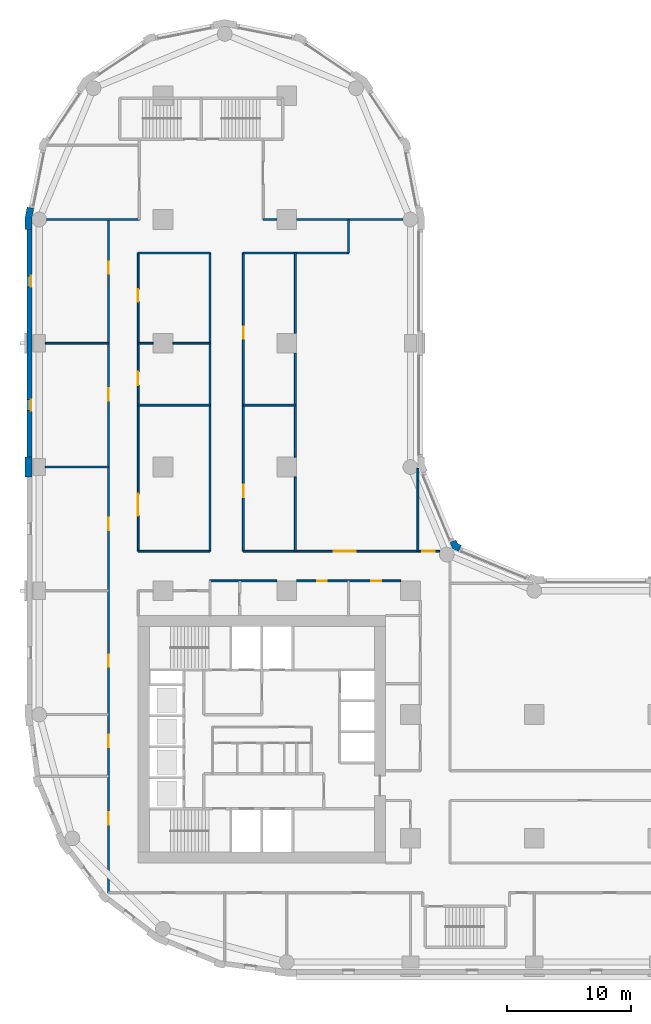
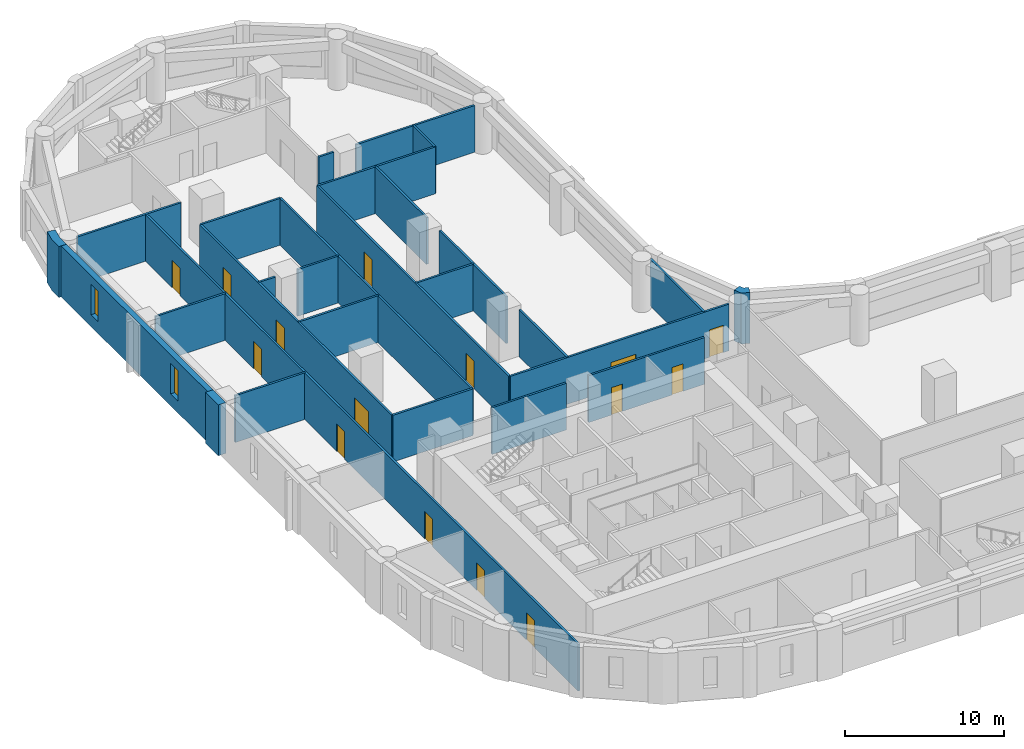
# One storey, part 5 of 10: 28 walls, 15 doors, 2 windows, 17 openings.
"""IFC4 building model written with IfcOpenShell, lengths in metres."""

from ifc_helpers import new_model, si_unit, direction, frame, frame_2d, origin, place, context, subcontext, project, spatial, polyline, rectangle, outline, extrude, material, layer, layer_set, type_object, element, fill, save


model = new_model("IFC4")

# Units and contexts
model_context = context("Model", 3, precision=1e-05, world=origin(), true_north=direction((0.0, 1.0)))
body_context = subcontext(model_context, "Body", "Model", "MODEL_VIEW")
ifc_project = project(units=[si_unit("LENGTHUNIT", "METRE"), si_unit("AREAUNIT", "SQUARE_METRE"), si_unit("VOLUMEUNIT", "CUBIC_METRE"), si_unit("PLANEANGLEUNIT", "RADIAN"), si_unit("MASSUNIT", "GRAM", prefix="KILO")], contexts=[model_context])

# Site, building, storey
site_placement = place(None, origin())
site = spatial("IfcSite", under=ifc_project, at=site_placement, CompositionType="ELEMENT")
building_placement = place(site_placement, origin())
building = spatial("IfcBuilding", under=site, at=building_placement, Name="Qaws Garden Tower", CompositionType="ELEMENT")
storey_placement = place(building_placement, frame((0.0, 0.0, 97.800048828125)))
storey = spatial("IfcBuildingStorey", under=building, at=storey_placement, Name="L24", CompositionType="ELEMENT", Elevation=97.800048828125)

# Wall, openings, windows
ifc_material_1 = material(Name="Clay facing brick masonry", Category="masonry")
ifc_layer_1 = layer(ifc_material_1, 0.39990234375)
ifc_layer_set_1 = layer_set([ifc_layer_1], Name="Clay facing brick masonry")
wall_type_1 = type_object("IfcWallType", Name="Brick infill wall 400", PredefinedType="SOLIDWALL", material=ifc_layer_set_1)
wall_1_placement = place(storey_placement, frame((-0.800048828125, 59.199951171875, 0.0), z_axis=(0.0, 0.0, 1.0), x_axis=(0.0, -1.0, 0.0)))
wall_1 = element("IfcWall", 1, at=wall_1_placement, inside=storey, type_object=wall_type_1, Name="E-L24-infill-23", PredefinedType="SOLIDWALL", context=body_context, shape_type="SweptSolid", body=[
    extrude(rectangle(XDim=18.39990234375, YDim=0.39990234375, at=frame_2d((9.199951171875, 0.0))), origin(), (0.0, 0.0, 1.0), 3.89990234375),
])
opening_1_placement = place(wall_1_placement, frame((3.75, 0.0, 0.89990234375)))
opening_1 = element("IfcOpeningElement", 2, at=opening_1_placement, cuts=wall_1, Name="Opening W09", PredefinedType="OPENING", context=body_context, shape_type="SweptSolid", body=[
    extrude(rectangle(XDim=0.89990234375, YDim=2.35009765625, at=frame_2d((0.449951171875, 1.175048828125))), frame((0.0, 0.2099609375, 0.0), z_axis=(0.0, -1.0, 0.0), x_axis=(1.0, 0.0, 0.0)), (0.0, 0.0, 1.0), 0.419921875),
])
opening_2_placement = place(wall_1_placement, frame((13.75, 0.0, 0.89990234375)))
opening_2 = element("IfcOpeningElement", 3, at=opening_2_placement, cuts=wall_1, Name="Opening W09", PredefinedType="OPENING", context=body_context, shape_type="SweptSolid", body=[
    extrude(rectangle(XDim=0.89990234375, YDim=2.35009765625, at=frame_2d((0.449951171875, 1.175048828125))), frame((0.0, 0.2099609375, 0.0), z_axis=(0.0, -1.0, 0.0), x_axis=(1.0, 0.0, 0.0)), (0.0, 0.0, 1.0), 0.419921875),
])
ifc_material_2 = material(Name="Aluminium framed window, clear glazing", Category="aluminium")
window_type = type_object("IfcWindowType", Name="Slit window 900 x 2350", PartitioningType="SINGLE_PANEL", PredefinedType="WINDOW", material=ifc_material_2)
window_1_placement = place(opening_1_placement, origin())
window_1 = element("IfcWindow", 4, at=window_1_placement, inside=storey, type_object=window_type, Name="E-L24-window-23-0", OverallHeight=2.35009765625, OverallWidth=0.89990234375, PartitioningType="SINGLE_PANEL", PredefinedType="WINDOW", context=body_context, shape_type="SweptSolid", body=[
    extrude(rectangle(XDim=0.89990234375, YDim=2.35009765625, at=frame_2d((0.449951171875, 1.175048828125))), frame((0.0, 0.159912109375, 0.0), z_axis=(0.0, -1.0, 0.0), x_axis=(1.0, 0.0, 0.0)), (0.0, 0.0, 1.0), 0.06005859375),
])
fill(opening_1, window_1)
window_2_placement = place(opening_2_placement, origin())
window_2 = element("IfcWindow", 5, at=window_2_placement, inside=storey, type_object=window_type, Name="E-L24-window-24-0", OverallHeight=2.35009765625, OverallWidth=0.89990234375, PartitioningType="SINGLE_PANEL", PredefinedType="WINDOW", context=body_context, shape_type="SweptSolid", body=[
    extrude(rectangle(XDim=0.89990234375, YDim=2.35009765625, at=frame_2d((0.449951171875, 1.175048828125))), frame((0.0, 0.159912109375, 0.0), z_axis=(0.0, -1.0, 0.0), x_axis=(1.0, 0.0, 0.0)), (0.0, 0.0, 1.0), 0.06005859375),
])
fill(opening_2, window_2)

# Walls
ifc_material_3 = material(Name="Clay facing brick masonry", Category="masonry")
ifc_layer_2 = layer(ifc_material_3, 0.550048828125)
ifc_layer_set_2 = layer_set([ifc_layer_2], Name="Clay facing brick masonry")
wall_type_2 = type_object("IfcWallType", Name="Brick pier 550 x 1600", PredefinedType="SOLIDWALL", material=ifc_layer_set_2)
placement = place(storey_placement, origin())
element("IfcWall", 6, at=placement, inside=storey, type_object=wall_type_2, Name="E-L24-pier-12", PredefinedType="SOLIDWALL", context=body_context, shape_type="SweptSolid", body=[
    extrude(outline(polyline([(34.05078125, 33.546630859375), (34.108154296875, 33.685302734375), (33.80908203125, 33.80908203125), (33.685302734375, 34.108154296875), (33.546630859375, 34.05078125), (33.177001953125, 33.897705078125), (33.38818359375, 33.38818359375), (33.897705078125, 33.177001953125), (34.05078125, 33.546630859375)])), origin(), (0.0, 0.0, 1.0), 3.89990234375),
])
element("IfcWall", 7, at=placement, inside=storey, type_object=wall_type_2, Name="E-L24-pier-23", PredefinedType="SOLIDWALL", context=body_context, shape_type="SweptSolid", body=[
    extrude(outline(polyline([(-0.82470703125, 60.979736328125), (-0.971923828125, 61.009033203125), (-1.14990234375, 60.11328125), (-1.14990234375, 59.199951171875), (-1.0, 59.199951171875), (-0.60009765625, 59.199951171875), (-0.60009765625, 60.05908203125), (-0.432373046875, 60.901611328125), (-0.82470703125, 60.979736328125)])), origin(), (0.0, 0.0, 1.0), 3.89990234375),
])
element("IfcWall", 8, at=placement, inside=storey, type_object=wall_type_2, Name="E-L24-pier-25", PredefinedType="SOLIDWALL", context=body_context, shape_type="SweptSolid", body=[
    extrude(outline(polyline([(-1.0, 40.800048828125), (-1.14990234375, 40.800048828125), (-1.14990234375, 40.0), (-1.14990234375, 39.199951171875), (-1.0, 39.199951171875), (-0.60009765625, 39.199951171875), (-0.60009765625, 40.0), (-0.60009765625, 40.800048828125), (-1.0, 40.800048828125)])), origin(), (0.0, 0.0, 1.0), 3.89990234375),
])

# Wall, openings, doors
ifc_material_4 = material(Name="Gypsum board partition")
ifc_layer_3 = layer(ifc_material_4, 0.14990234375)
ifc_layer_set_3 = layer_set([ifc_layer_3], Name="Gypsum board partition")
wall_type_3 = type_object("IfcWallType", Name="PARTITION 150 EI 60", PredefinedType="PARTITIONING", material=ifc_layer_set_3)
wall_5_placement = place(storey_placement, frame((5.60009765625, 5.60009765625, 0.0), z_axis=(0.0, 0.0, 1.0), x_axis=(0.0, 1.0, 0.0)))
wall_5 = element("IfcWall", 9, at=wall_5_placement, inside=storey, type_object=wall_type_3, Name="O-L24-wall-001", PredefinedType="PARTITIONING", context=body_context, shape_type="SweptSolid", body=[
    extrude(rectangle(XDim=54.39990234375, YDim=0.14990234375, at=frame_2d((27.199951171875, 0.0))), origin(), (0.0, 0.0, 1.0), 3.579833984375),
])
opening_3_placement = place(wall_5_placement, frame((5.5, 0.0, 0.0)))
opening_3 = element("IfcOpeningElement", 10, at=opening_3_placement, cuts=wall_5, Name="Opening A801", PredefinedType="OPENING", context=body_context, shape_type="SweptSolid", body=[
    extrude(rectangle(XDim=1.0, YDim=2.10009765625, at=frame_2d((0.5, 1.050048828125))), frame((0.0, 0.0849609375, 0.0), z_axis=(0.0, -1.0, 0.0), x_axis=(1.0, 0.0, 0.0)), (0.0, 0.0, 1.0), 0.169921875),
])
opening_4_placement = place(wall_5_placement, frame((11.75, 0.0, 0.0)))
opening_4 = element("IfcOpeningElement", 11, at=opening_4_placement, cuts=wall_5, Name="Opening A802", PredefinedType="OPENING", context=body_context, shape_type="SweptSolid", body=[
    extrude(rectangle(XDim=1.0, YDim=2.10009765625, at=frame_2d((0.5, 1.050048828125))), frame((0.0, 0.0849609375, 0.0), z_axis=(0.0, -1.0, 0.0), x_axis=(1.0, 0.0, 0.0)), (0.0, 0.0, 1.0), 0.169921875),
])
opening_5_placement = place(wall_5_placement, frame((18.25, 0.0, 0.0)))
opening_5 = element("IfcOpeningElement", 12, at=opening_5_placement, cuts=wall_5, Name="Opening A813", PredefinedType="OPENING", context=body_context, shape_type="SweptSolid", body=[
    extrude(rectangle(XDim=1.0, YDim=2.10009765625, at=frame_2d((0.5, 1.050048828125))), frame((0.0, 0.0849609375, 0.0), z_axis=(0.0, -1.0, 0.0), x_axis=(1.0, 0.0, 0.0)), (0.0, 0.0, 1.0), 0.169921875),
])
opening_6_placement = place(wall_5_placement, frame((29.300048828125, 0.0, 0.0)))
opening_6 = element("IfcOpeningElement", 13, at=opening_6_placement, cuts=wall_5, Name="Opening A823", PredefinedType="OPENING", context=body_context, shape_type="SweptSolid", body=[
    extrude(rectangle(XDim=1.0, YDim=2.10009765625, at=frame_2d((0.5, 1.050048828125))), frame((0.0, 0.0849609375, 0.0), z_axis=(0.0, -1.0, 0.0), x_axis=(1.0, 0.0, 0.0)), (0.0, 0.0, 1.0), 0.169921875),
])
opening_7_placement = place(wall_5_placement, frame((39.75, 0.0, 0.0)))
opening_7 = element("IfcOpeningElement", 14, at=opening_7_placement, cuts=wall_5, Name="Opening A824", PredefinedType="OPENING", context=body_context, shape_type="SweptSolid", body=[
    extrude(rectangle(XDim=1.0, YDim=2.10009765625, at=frame_2d((0.5, 1.050048828125))), frame((0.0, 0.0849609375, 0.0), z_axis=(0.0, -1.0, 0.0), x_axis=(1.0, 0.0, 0.0)), (0.0, 0.0, 1.0), 0.169921875),
])
opening_8_placement = place(wall_5_placement, frame((50.0, 0.0, 0.0)))
opening_8 = element("IfcOpeningElement", 15, at=opening_8_placement, cuts=wall_5, Name="Opening A825", PredefinedType="OPENING", context=body_context, shape_type="SweptSolid", body=[
    extrude(rectangle(XDim=1.0, YDim=2.10009765625, at=frame_2d((0.5, 1.050048828125))), frame((0.0, 0.0849609375, 0.0), z_axis=(0.0, -1.0, 0.0), x_axis=(1.0, 0.0, 0.0)), (0.0, 0.0, 1.0), 0.169921875),
])
ifc_material_5 = material(Name="Timber door leaf", Category="wood")
door_type_1 = type_object("IfcDoorType", Name="TENANCY ENTRANCE DOOR 1000 X 2100", OperationType="SINGLE_SWING_LEFT", PredefinedType="DOOR", material=ifc_material_5)
door_1_placement = place(opening_3_placement, origin())
door_1 = element("IfcDoor", 16, at=door_1_placement, inside=storey, type_object=door_type_1, Name="O-L24-door-001", OperationType="SINGLE_SWING_RIGHT", OverallHeight=2.10009765625, OverallWidth=1.0, PredefinedType="DOOR", context=body_context, shape_type="SweptSolid", body=[
    extrude(rectangle(XDim=1.0, YDim=2.10009765625, at=frame_2d((0.5, 1.050048828125))), frame((0.0, 0.02490234375, 0.0), z_axis=(0.0, -1.0, 0.0), x_axis=(1.0, 0.0, 0.0)), (0.0, 0.0, 1.0), 0.050048828125),
])
fill(opening_3, door_1)
door_2_placement = place(opening_4_placement, origin())
door_2 = element("IfcDoor", 17, at=door_2_placement, inside=storey, type_object=door_type_1, Name="O-L24-door-002", OperationType="SINGLE_SWING_RIGHT", OverallHeight=2.10009765625, OverallWidth=1.0, PredefinedType="DOOR", context=body_context, shape_type="SweptSolid", body=[
    extrude(rectangle(XDim=1.0, YDim=2.10009765625, at=frame_2d((0.5, 1.050048828125))), frame((0.0, 0.02490234375, 0.0), z_axis=(0.0, -1.0, 0.0), x_axis=(1.0, 0.0, 0.0)), (0.0, 0.0, 1.0), 0.050048828125),
])
fill(opening_4, door_2)
door_3_placement = place(opening_5_placement, origin())
door_3 = element("IfcDoor", 18, at=door_3_placement, inside=storey, type_object=door_type_1, Name="O-L24-door-013", OperationType="SINGLE_SWING_RIGHT", OverallHeight=2.10009765625, OverallWidth=1.0, PredefinedType="DOOR", context=body_context, shape_type="SweptSolid", body=[
    extrude(rectangle(XDim=1.0, YDim=2.10009765625, at=frame_2d((0.5, 1.050048828125))), frame((0.0, 0.02490234375, 0.0), z_axis=(0.0, -1.0, 0.0), x_axis=(1.0, 0.0, 0.0)), (0.0, 0.0, 1.0), 0.050048828125),
])
fill(opening_5, door_3)
door_4_placement = place(opening_6_placement, origin())
door_4 = element("IfcDoor", 19, at=door_4_placement, inside=storey, type_object=door_type_1, Name="O-L24-door-023", OperationType="SINGLE_SWING_LEFT", OverallHeight=2.10009765625, OverallWidth=1.0, PredefinedType="DOOR", context=body_context, shape_type="SweptSolid", body=[
    extrude(rectangle(XDim=1.0, YDim=2.10009765625, at=frame_2d((0.5, 1.050048828125))), frame((0.0, 0.02490234375, 0.0), z_axis=(0.0, -1.0, 0.0), x_axis=(1.0, 0.0, 0.0)), (0.0, 0.0, 1.0), 0.050048828125),
])
fill(opening_6, door_4)
door_5_placement = place(opening_7_placement, origin())
door_5 = element("IfcDoor", 20, at=door_5_placement, inside=storey, type_object=door_type_1, Name="O-L24-door-024", OperationType="SINGLE_SWING_LEFT", OverallHeight=2.10009765625, OverallWidth=1.0, PredefinedType="DOOR", context=body_context, shape_type="SweptSolid", body=[
    extrude(rectangle(XDim=1.0, YDim=2.10009765625, at=frame_2d((0.5, 1.050048828125))), frame((0.0, 0.02490234375, 0.0), z_axis=(0.0, -1.0, 0.0), x_axis=(1.0, 0.0, 0.0)), (0.0, 0.0, 1.0), 0.050048828125),
])
fill(opening_7, door_5)
door_6_placement = place(opening_8_placement, origin())
door_6 = element("IfcDoor", 21, at=door_6_placement, inside=storey, type_object=door_type_1, Name="O-L24-door-025", OperationType="SINGLE_SWING_LEFT", OverallHeight=2.10009765625, OverallWidth=1.0, PredefinedType="DOOR", context=body_context, shape_type="SweptSolid", body=[
    extrude(rectangle(XDim=1.0, YDim=2.10009765625, at=frame_2d((0.5, 1.050048828125))), frame((0.0, 0.02490234375, 0.0), z_axis=(0.0, -1.0, 0.0), x_axis=(1.0, 0.0, 0.0)), (0.0, 0.0, 1.0), 0.050048828125),
])
fill(opening_8, door_6)

wall_6_placement = place(storey_placement, frame((8.0, 33.199951171875, 0.0), z_axis=(0.0, 0.0, 1.0), x_axis=(0.0, 1.0, 0.0)))
wall_6 = element("IfcWall", 22, at=wall_6_placement, inside=storey, type_object=wall_type_3, Name="O-L24-wall-003", PredefinedType="PARTITIONING", context=body_context, shape_type="SweptSolid", body=[
    extrude(rectangle(XDim=24.10009765625, YDim=0.14990234375, at=frame_2d((12.050048828125, 0.0))), origin(), (0.0, 0.0, 1.0), 3.579833984375),
])
opening_9_placement = place(wall_6_placement, frame((2.85009765625, 0.0, 0.0)))
opening_9 = element("IfcOpeningElement", 23, at=opening_9_placement, cuts=wall_6, Name="Opening A814", PredefinedType="OPENING", context=body_context, shape_type="SweptSolid", body=[
    extrude(rectangle(XDim=1.800048828125, YDim=2.10009765625, at=frame_2d((0.89990234375, 1.050048828125))), frame((0.0, 0.0849609375, 0.0), z_axis=(0.0, -1.0, 0.0), x_axis=(1.0, 0.0, 0.0)), (0.0, 0.0, 1.0), 0.169921875),
])
opening_10_placement = place(wall_6_placement, frame((13.39990234375, 0.0, 0.0)))
opening_10 = element("IfcOpeningElement", 24, at=opening_10_placement, cuts=wall_6, Name="Opening A815", PredefinedType="OPENING", context=body_context, shape_type="SweptSolid", body=[
    extrude(rectangle(XDim=1.10009765625, YDim=2.10009765625, at=frame_2d((0.550048828125, 1.050048828125))), frame((0.0, 0.0849609375, 0.0), z_axis=(0.0, -1.0, 0.0), x_axis=(1.0, 0.0, 0.0)), (0.0, 0.0, 1.0), 0.169921875),
])
opening_11_placement = place(wall_6_placement, frame((20.14990234375, 0.0, 0.0)))
opening_11 = element("IfcOpeningElement", 25, at=opening_11_placement, cuts=wall_6, Name="Opening A816", PredefinedType="OPENING", context=body_context, shape_type="SweptSolid", body=[
    extrude(rectangle(XDim=1.0, YDim=2.10009765625, at=frame_2d((0.5, 1.050048828125))), frame((0.0, 0.0849609375, 0.0), z_axis=(0.0, -1.0, 0.0), x_axis=(1.0, 0.0, 0.0)), (0.0, 0.0, 1.0), 0.169921875),
])
ifc_material_6 = material(Name="Timber door leaf", Category="wood")
door_type_2 = type_object("IfcDoorType", Name="DOUBLE DOOR 1800 X 2100", OperationType="DOUBLE_DOOR_SINGLE_SWING", PredefinedType="DOOR", material=ifc_material_6)
door_7_placement = place(opening_9_placement, frame((1.800048828125, 0.0, 0.0), z_axis=(0.0, 0.0, 1.0), x_axis=(-1.0, 0.0, 0.0)))
door_7 = element("IfcDoor", 26, at=door_7_placement, inside=storey, type_object=door_type_2, Name="O-L24-door-014", OperationType="DOUBLE_DOOR_SINGLE_SWING", OverallHeight=2.10009765625, OverallWidth=1.800048828125, PredefinedType="DOOR", context=body_context, shape_type="SweptSolid", body=[
    extrude(rectangle(XDim=1.800048828125, YDim=2.10009765625, at=frame_2d((0.89990234375, 1.050048828125))), frame((0.0, 0.02490234375, 0.0), z_axis=(0.0, -1.0, 0.0), x_axis=(1.0, 0.0, 0.0)), (0.0, 0.0, 1.0), 0.050048828125),
])
fill(opening_9, door_7)
ifc_material_7 = material(Name="Timber door leaf", Category="wood")
door_type_3 = type_object("IfcDoorType", Name="SERVICE ROOM DOOR 1100 X 2100", OperationType="SINGLE_SWING_LEFT", PredefinedType="DOOR", material=ifc_material_7)
door_8_placement = place(opening_10_placement, frame((1.10009765625, 0.0, 0.0), z_axis=(0.0, 0.0, 1.0), x_axis=(-1.0, 0.0, 0.0)))
door_8 = element("IfcDoor", 27, at=door_8_placement, inside=storey, type_object=door_type_3, Name="O-L24-door-015", OperationType="SINGLE_SWING_RIGHT", OverallHeight=2.10009765625, OverallWidth=1.10009765625, PredefinedType="DOOR", context=body_context, shape_type="SweptSolid", body=[
    extrude(rectangle(XDim=1.10009765625, YDim=2.10009765625, at=frame_2d((0.550048828125, 1.050048828125))), frame((0.0, 0.02490234375, 0.0), z_axis=(0.0, -1.0, 0.0), x_axis=(1.0, 0.0, 0.0)), (0.0, 0.0, 1.0), 0.050048828125),
])
fill(opening_10, door_8)
door_9_placement = place(opening_11_placement, frame((1.0, 0.0, 0.0), z_axis=(0.0, 0.0, 1.0), x_axis=(-1.0, 0.0, 0.0)))
door_9 = element("IfcDoor", 28, at=door_9_placement, inside=storey, type_object=door_type_1, Name="O-L24-door-016", OperationType="SINGLE_SWING_RIGHT", OverallHeight=2.10009765625, OverallWidth=1.0, PredefinedType="DOOR", context=body_context, shape_type="SweptSolid", body=[
    extrude(rectangle(XDim=1.0, YDim=2.10009765625, at=frame_2d((0.5, 1.050048828125))), frame((0.0, 0.02490234375, 0.0), z_axis=(0.0, -1.0, 0.0), x_axis=(1.0, 0.0, 0.0)), (0.0, 0.0, 1.0), 0.050048828125),
])
fill(opening_11, door_9)

# Wall
wall_7_placement = place(storey_placement, frame((13.800048828125, 33.199951171875, 0.0), z_axis=(0.0, 0.0, 1.0), x_axis=(0.0, 1.0, 0.0)))
element("IfcWall", 29, at=wall_7_placement, inside=storey, type_object=wall_type_3, Name="O-L24-wall-006", PredefinedType="PARTITIONING", context=body_context, shape_type="SweptSolid", body=[
    extrude(rectangle(XDim=24.10009765625, YDim=0.14990234375, at=frame_2d((12.050048828125, 0.0))), origin(), (0.0, 0.0, 1.0), 3.579833984375),
])

# Wall, openings, doors
wall_8_placement = place(storey_placement, frame((16.5, 33.199951171875, 0.0), z_axis=(0.0, 0.0, 1.0), x_axis=(0.0, 1.0, 0.0)))
wall_8 = element("IfcWall", 30, at=wall_8_placement, inside=storey, type_object=wall_type_3, Name="O-L24-wall-008", PredefinedType="PARTITIONING", context=body_context, shape_type="SweptSolid", body=[
    extrude(rectangle(XDim=24.10009765625, YDim=0.14990234375, at=frame_2d((12.050048828125, 0.0))), origin(), (0.0, 0.0, 1.0), 3.579833984375),
])
opening_12_placement = place(wall_8_placement, frame((4.35009765625, 0.0, 0.0)))
opening_12 = element("IfcOpeningElement", 31, at=opening_12_placement, cuts=wall_8, Name="Opening A817", PredefinedType="OPENING", context=body_context, shape_type="SweptSolid", body=[
    extrude(rectangle(XDim=1.0, YDim=2.10009765625, at=frame_2d((0.5, 1.050048828125))), frame((0.0, 0.0849609375, 0.0), z_axis=(0.0, -1.0, 0.0), x_axis=(1.0, 0.0, 0.0)), (0.0, 0.0, 1.0), 0.169921875),
])
opening_13_placement = place(wall_8_placement, frame((17.14990234375, 0.0, 0.0)))
opening_13 = element("IfcOpeningElement", 32, at=opening_13_placement, cuts=wall_8, Name="Opening A818", PredefinedType="OPENING", context=body_context, shape_type="SweptSolid", body=[
    extrude(rectangle(XDim=1.0, YDim=2.10009765625, at=frame_2d((0.5, 1.050048828125))), frame((0.0, 0.0849609375, 0.0), z_axis=(0.0, -1.0, 0.0), x_axis=(1.0, 0.0, 0.0)), (0.0, 0.0, 1.0), 0.169921875),
])
door_10_placement = place(opening_12_placement, frame((1.0, 0.0, 0.0), z_axis=(0.0, 0.0, 1.0), x_axis=(-1.0, 0.0, 0.0)))
door_10 = element("IfcDoor", 33, at=door_10_placement, inside=storey, type_object=door_type_1, Name="O-L24-door-017", OperationType="SINGLE_SWING_RIGHT", OverallHeight=2.10009765625, OverallWidth=1.0, PredefinedType="DOOR", context=body_context, shape_type="SweptSolid", body=[
    extrude(rectangle(XDim=1.0, YDim=2.10009765625, at=frame_2d((0.5, 1.050048828125))), frame((0.0, 0.02490234375, 0.0), z_axis=(0.0, -1.0, 0.0), x_axis=(1.0, 0.0, 0.0)), (0.0, 0.0, 1.0), 0.050048828125),
])
fill(opening_12, door_10)
door_11_placement = place(opening_13_placement, frame((1.0, 0.0, 0.0), z_axis=(0.0, 0.0, 1.0), x_axis=(-1.0, 0.0, 0.0)))
door_11 = element("IfcDoor", 34, at=door_11_placement, inside=storey, type_object=door_type_1, Name="O-L24-door-018", OperationType="SINGLE_SWING_RIGHT", OverallHeight=2.10009765625, OverallWidth=1.0, PredefinedType="DOOR", context=body_context, shape_type="SweptSolid", body=[
    extrude(rectangle(XDim=1.0, YDim=2.10009765625, at=frame_2d((0.5, 1.050048828125))), frame((0.0, 0.02490234375, 0.0), z_axis=(0.0, -1.0, 0.0), x_axis=(1.0, 0.0, 0.0)), (0.0, 0.0, 1.0), 0.050048828125),
])
fill(opening_13, door_11)

# Walls
wall_9_placement = place(storey_placement, frame((20.699951171875, 33.199951171875, 0.0), z_axis=(0.0, 0.0, 1.0), x_axis=(0.0, 1.0, 0.0)))
element("IfcWall", 35, at=wall_9_placement, inside=storey, type_object=wall_type_3, Name="O-L24-wall-011", PredefinedType="PARTITIONING", context=body_context, shape_type="SweptSolid", body=[
    extrude(rectangle(XDim=6.0, YDim=0.14990234375, at=frame_2d((3.0, 0.0))), origin(), (0.0, 0.0, 1.0), 3.579833984375),
])
wall_10_placement = place(storey_placement, frame((20.699951171875, 40.800048828125, 0.0), z_axis=(0.0, 0.0, 1.0), x_axis=(0.0, 1.0, 0.0)))
element("IfcWall", 36, at=wall_10_placement, inside=storey, type_object=wall_type_3, Name="O-L24-wall-012", PredefinedType="PARTITIONING", context=body_context, shape_type="SweptSolid", body=[
    extrude(rectangle(XDim=8.39990234375, YDim=0.14990234375, at=frame_2d((4.199951171875, 0.0))), origin(), (0.0, 0.0, 1.0), 3.579833984375),
])
wall_11_placement = place(storey_placement, frame((20.699951171875, 50.800048828125, 0.0), z_axis=(0.0, 0.0, 1.0), x_axis=(0.0, 1.0, 0.0)))
element("IfcWall", 37, at=wall_11_placement, inside=storey, type_object=wall_type_3, Name="O-L24-wall-013", PredefinedType="PARTITIONING", context=body_context, shape_type="SweptSolid", body=[
    extrude(rectangle(XDim=6.5, YDim=0.14990234375, at=frame_2d((3.25, 0.0))), origin(), (0.0, 0.0, 1.0), 3.579833984375),
])
wall_12_placement = place(storey_placement, frame((25.0, 57.300048828125, 0.0), z_axis=(0.0, 0.0, 1.0), x_axis=(0.0, 1.0, 0.0)))
element("IfcWall", 38, at=wall_12_placement, inside=storey, type_object=wall_type_3, Name="O-L24-wall-015", PredefinedType="PARTITIONING", context=body_context, shape_type="SweptSolid", body=[
    extrude(rectangle(XDim=2.699951171875, YDim=0.14990234375, at=frame_2d((1.35009765625, 0.0))), origin(), (0.0, 0.0, 1.0), 3.579833984375),
])
wall_13_placement = place(storey_placement, frame((30.60009765625, 33.199951171875, 0.0), z_axis=(0.0, 0.0, 1.0), x_axis=(0.0, 1.0, 0.0)))
element("IfcWall", 39, at=wall_13_placement, inside=storey, type_object=wall_type_3, Name="O-L24-wall-019", PredefinedType="PARTITIONING", context=body_context, shape_type="SweptSolid", body=[
    extrude(rectangle(XDim=6.698974609375, YDim=0.14990234375, at=frame_2d((3.349609375, 0.0))), origin(), (0.0, 0.0, 1.0), 3.579833984375),
])
wall_14_placement = place(storey_placement, frame((13.800048828125, 30.800048828125, 0.0), z_axis=(0.0, 0.0, 1.0), x_axis=(1.0, 0.0, 0.0)))
element("IfcWall", 40, at=wall_14_placement, inside=storey, type_object=wall_type_3, Name="O-L24-wall-047", PredefinedType="PARTITIONING", context=body_context, shape_type="SweptSolid", body=[
    extrude(rectangle(XDim=5.39990234375, YDim=0.14990234375, at=frame_2d((2.699951171875, 0.0))), origin(), (0.0, 0.0, 1.0), 3.579833984375),
])

# Wall, openings, doors
wall_15_placement = place(storey_placement, frame((20.800048828125, 30.800048828125, 0.0), z_axis=(0.0, 0.0, 1.0), x_axis=(1.0, 0.0, 0.0)))
wall_15 = element("IfcWall", 41, at=wall_15_placement, inside=storey, type_object=wall_type_3, Name="O-L24-wall-048", PredefinedType="PARTITIONING", context=body_context, shape_type="SweptSolid", body=[
    extrude(rectangle(XDim=8.39990234375, YDim=0.14990234375, at=frame_2d((4.199951171875, 0.0))), origin(), (0.0, 0.0, 1.0), 3.579833984375),
])
opening_14_placement = place(wall_15_placement, frame((1.64990234375, 0.0, 0.0)))
opening_14 = element("IfcOpeningElement", 42, at=opening_14_placement, cuts=wall_15, Name="Opening A811", PredefinedType="OPENING", context=body_context, shape_type="SweptSolid", body=[
    extrude(rectangle(XDim=0.800048828125, YDim=2.10009765625, at=frame_2d((0.39990234375, 1.050048828125))), frame((0.0, 0.0849609375, 0.0), z_axis=(0.0, -1.0, 0.0), x_axis=(1.0, 0.0, 0.0)), (0.0, 0.0, 1.0), 0.169921875),
])
opening_15_placement = place(wall_15_placement, frame((6.050048828125, 0.0, 0.0)))
opening_15 = element("IfcOpeningElement", 43, at=opening_15_placement, cuts=wall_15, Name="Opening A812", PredefinedType="OPENING", context=body_context, shape_type="SweptSolid", body=[
    extrude(rectangle(XDim=0.800048828125, YDim=2.10009765625, at=frame_2d((0.39990234375, 1.050048828125))), frame((0.0, 0.0849609375, 0.0), z_axis=(0.0, -1.0, 0.0), x_axis=(1.0, 0.0, 0.0)), (0.0, 0.0, 1.0), 0.169921875),
])
ifc_material_8 = material(Name="Timber door leaf", Category="wood")
door_type_4 = type_object("IfcDoorType", Name="STORE DOOR 800 X 2100", OperationType="SINGLE_SWING_LEFT", PredefinedType="DOOR", material=ifc_material_8)
door_12_placement = place(opening_14_placement, frame((0.800048828125, 0.0, 0.0), z_axis=(0.0, 0.0, 1.0), x_axis=(-1.0, 0.0, 0.0)))
door_12 = element("IfcDoor", 44, at=door_12_placement, inside=storey, type_object=door_type_4, Name="O-L24-door-011", OperationType="SINGLE_SWING_LEFT", OverallHeight=2.10009765625, OverallWidth=0.800048828125, PredefinedType="DOOR", context=body_context, shape_type="SweptSolid", body=[
    extrude(rectangle(XDim=0.800048828125, YDim=2.10009765625, at=frame_2d((0.39990234375, 1.050048828125))), frame((0.0, 0.02490234375, 0.0), z_axis=(0.0, -1.0, 0.0), x_axis=(1.0, 0.0, 0.0)), (0.0, 0.0, 1.0), 0.050048828125),
])
fill(opening_14, door_12)
door_13_placement = place(opening_15_placement, frame((0.800048828125, 0.0, 0.0), z_axis=(0.0, 0.0, 1.0), x_axis=(-1.0, 0.0, 0.0)))
door_13 = element("IfcDoor", 45, at=door_13_placement, inside=storey, type_object=door_type_4, Name="O-L24-door-012", OperationType="SINGLE_SWING_LEFT", OverallHeight=2.10009765625, OverallWidth=0.800048828125, PredefinedType="DOOR", context=body_context, shape_type="SweptSolid", body=[
    extrude(rectangle(XDim=0.800048828125, YDim=2.10009765625, at=frame_2d((0.39990234375, 1.050048828125))), frame((0.0, 0.02490234375, 0.0), z_axis=(0.0, -1.0, 0.0), x_axis=(1.0, 0.0, 0.0)), (0.0, 0.0, 1.0), 0.050048828125),
])
fill(opening_15, door_13)

# Wall
wall_16_placement = place(storey_placement, frame((8.0, 33.199951171875, 0.0), z_axis=(0.0, 0.0, 1.0), x_axis=(1.0, 0.0, 0.0)))
element("IfcWall", 46, at=wall_16_placement, inside=storey, type_object=wall_type_3, Name="O-L24-wall-049", PredefinedType="PARTITIONING", context=body_context, shape_type="SweptSolid", body=[
    extrude(rectangle(XDim=5.800048828125, YDim=0.14990234375, at=frame_2d((2.89990234375, 0.0))), origin(), (0.0, 0.0, 1.0), 3.579833984375),
])

# Wall, openings, doors
wall_17_placement = place(storey_placement, frame((16.5, 33.199951171875, 0.0), z_axis=(0.0, 0.0, 1.0), x_axis=(1.0, 0.0, 0.0)))
wall_17 = element("IfcWall", 47, at=wall_17_placement, inside=storey, type_object=wall_type_3, Name="O-L24-wall-050", PredefinedType="PARTITIONING", context=body_context, shape_type="SweptSolid", body=[
    extrude(rectangle(XDim=15.862060546875, YDim=0.14990234375, at=frame_2d((7.93115234375, 0.0))), origin(), (0.0, 0.0, 1.0), 3.579833984375),
])
opening_16_placement = place(wall_17_placement, frame((7.300048828125, 0.0, 0.0)))
opening_16 = element("IfcOpeningElement", 48, at=opening_16_placement, cuts=wall_17, Name="Opening A819", PredefinedType="OPENING", context=body_context, shape_type="SweptSolid", body=[
    extrude(rectangle(XDim=1.800048828125, YDim=2.10009765625, at=frame_2d((0.89990234375, 1.050048828125))), frame((0.0, 0.0849609375, 0.0), z_axis=(0.0, -1.0, 0.0), x_axis=(1.0, 0.0, 0.0)), (0.0, 0.0, 1.0), 0.169921875),
])
opening_17_placement = place(wall_17_placement, frame((14.449951171875, 0.0, 0.0)))
opening_17 = element("IfcOpeningElement", 49, at=opening_17_placement, cuts=wall_17, Name="Opening A822", PredefinedType="OPENING", context=body_context, shape_type="SweptSolid", body=[
    extrude(rectangle(XDim=1.0, YDim=2.10009765625, at=frame_2d((0.5, 1.050048828125))), frame((0.0, 0.0849609375, 0.0), z_axis=(0.0, -1.0, 0.0), x_axis=(1.0, 0.0, 0.0)), (0.0, 0.0, 1.0), 0.169921875),
])
door_14_placement = place(opening_16_placement, origin())
door_14 = element("IfcDoor", 50, at=door_14_placement, inside=storey, type_object=door_type_2, Name="O-L24-door-019", OperationType="DOUBLE_DOOR_SINGLE_SWING", OverallHeight=2.10009765625, OverallWidth=1.800048828125, PredefinedType="DOOR", context=body_context, shape_type="SweptSolid", body=[
    extrude(rectangle(XDim=1.800048828125, YDim=2.10009765625, at=frame_2d((0.89990234375, 1.050048828125))), frame((0.0, 0.02490234375, 0.0), z_axis=(0.0, -1.0, 0.0), x_axis=(1.0, 0.0, 0.0)), (0.0, 0.0, 1.0), 0.050048828125),
])
fill(opening_16, door_14)
door_15_placement = place(opening_17_placement, origin())
door_15 = element("IfcDoor", 51, at=door_15_placement, inside=storey, type_object=door_type_1, Name="O-L24-door-022", OperationType="SINGLE_SWING_LEFT", OverallHeight=2.10009765625, OverallWidth=1.0, PredefinedType="DOOR", context=body_context, shape_type="SweptSolid", body=[
    extrude(rectangle(XDim=1.0, YDim=2.10009765625, at=frame_2d((0.5, 1.050048828125))), frame((0.0, 0.02490234375, 0.0), z_axis=(0.0, -1.0, 0.0), x_axis=(1.0, 0.0, 0.0)), (0.0, 0.0, 1.0), 0.050048828125),
])
fill(opening_17, door_15)

# Walls
wall_18_placement = place(storey_placement, frame((0.5, 40.0, 0.0), z_axis=(0.0, 0.0, 1.0), x_axis=(1.0, 0.0, 0.0)))
element("IfcWall", 52, at=wall_18_placement, inside=storey, type_object=wall_type_3, Name="O-L24-wall-051", PredefinedType="PARTITIONING", context=body_context, shape_type="SweptSolid", body=[
    extrude(rectangle(XDim=5.10009765625, YDim=0.14990234375, at=frame_2d((2.550048828125, 0.0))), origin(), (0.0, 0.0, 1.0), 3.579833984375),
])
wall_19_placement = place(storey_placement, frame((8.0, 45.0, 0.0), z_axis=(0.0, 0.0, 1.0), x_axis=(1.0, 0.0, 0.0)))
element("IfcWall", 53, at=wall_19_placement, inside=storey, type_object=wall_type_3, Name="O-L24-wall-052", PredefinedType="PARTITIONING", context=body_context, shape_type="SweptSolid", body=[
    extrude(rectangle(XDim=5.800048828125, YDim=0.14990234375, at=frame_2d((2.89990234375, 0.0))), origin(), (0.0, 0.0, 1.0), 3.579833984375),
])
wall_20_placement = place(storey_placement, frame((16.5, 45.0, 0.0), z_axis=(0.0, 0.0, 1.0), x_axis=(1.0, 0.0, 0.0)))
element("IfcWall", 54, at=wall_20_placement, inside=storey, type_object=wall_type_3, Name="O-L24-wall-053", PredefinedType="PARTITIONING", context=body_context, shape_type="SweptSolid", body=[
    extrude(rectangle(XDim=4.199951171875, YDim=0.14990234375, at=frame_2d((2.10009765625, 0.0))), origin(), (0.0, 0.0, 1.0), 3.579833984375),
])
wall_21_placement = place(storey_placement, frame((0.5, 50.0, 0.0), z_axis=(0.0, 0.0, 1.0), x_axis=(1.0, 0.0, 0.0)))
element("IfcWall", 55, at=wall_21_placement, inside=storey, type_object=wall_type_3, Name="O-L24-wall-054", PredefinedType="PARTITIONING", context=body_context, shape_type="SweptSolid", body=[
    extrude(rectangle(XDim=5.10009765625, YDim=0.14990234375, at=frame_2d((2.550048828125, 0.0))), origin(), (0.0, 0.0, 1.0), 3.579833984375),
])
wall_22_placement = place(storey_placement, frame((8.0, 50.0, 0.0), z_axis=(0.0, 0.0, 1.0), x_axis=(1.0, 0.0, 0.0)))
element("IfcWall", 56, at=wall_22_placement, inside=storey, type_object=wall_type_3, Name="O-L24-wall-055", PredefinedType="PARTITIONING", context=body_context, shape_type="SweptSolid", body=[
    extrude(rectangle(XDim=1.199951171875, YDim=0.14990234375, at=frame_2d((0.60009765625, 0.0))), origin(), (0.0, 0.0, 1.0), 3.579833984375),
])
wall_23_placement = place(storey_placement, frame((10.800048828125, 50.0, 0.0), z_axis=(0.0, 0.0, 1.0), x_axis=(1.0, 0.0, 0.0)))
element("IfcWall", 57, at=wall_23_placement, inside=storey, type_object=wall_type_3, Name="O-L24-wall-056", PredefinedType="PARTITIONING", context=body_context, shape_type="SweptSolid", body=[
    extrude(rectangle(XDim=3.0, YDim=0.14990234375, at=frame_2d((1.5, 0.0))), origin(), (0.0, 0.0, 1.0), 3.579833984375),
])
wall_24_placement = place(storey_placement, frame((8.0, 57.300048828125, 0.0), z_axis=(0.0, 0.0, 1.0), x_axis=(1.0, 0.0, 0.0)))
element("IfcWall", 58, at=wall_24_placement, inside=storey, type_object=wall_type_3, Name="O-L24-wall-057", PredefinedType="PARTITIONING", context=body_context, shape_type="SweptSolid", body=[
    extrude(rectangle(XDim=5.800048828125, YDim=0.14990234375, at=frame_2d((2.89990234375, 0.0))), origin(), (0.0, 0.0, 1.0), 3.579833984375),
])
wall_25_placement = place(storey_placement, frame((16.5, 57.300048828125, 0.0), z_axis=(0.0, 0.0, 1.0), x_axis=(1.0, 0.0, 0.0)))
element("IfcWall", 59, at=wall_25_placement, inside=storey, type_object=wall_type_3, Name="O-L24-wall-058", PredefinedType="PARTITIONING", context=body_context, shape_type="SweptSolid", body=[
    extrude(rectangle(XDim=8.5, YDim=0.14990234375, at=frame_2d((4.25, 0.0))), origin(), (0.0, 0.0, 1.0), 3.579833984375),
])
wall_26_placement = place(storey_placement, frame((0.60009765625, 60.0, 0.0), z_axis=(0.0, 0.0, 1.0), x_axis=(1.0, 0.0, 0.0)))
element("IfcWall", 60, at=wall_26_placement, inside=storey, type_object=wall_type_3, Name="O-L24-wall-059", PredefinedType="PARTITIONING", context=body_context, shape_type="SweptSolid", body=[
    extrude(rectangle(XDim=7.5, YDim=0.14990234375, at=frame_2d((3.75, 0.0))), origin(), (0.0, 0.0, 1.0), 3.579833984375),
])
wall_27_placement = place(storey_placement, frame((18.10009765625, 60.0, 0.0), z_axis=(0.0, 0.0, 1.0), x_axis=(1.0, 0.0, 0.0)))
element("IfcWall", 61, at=wall_27_placement, inside=storey, type_object=wall_type_3, Name="O-L24-wall-060", PredefinedType="PARTITIONING", context=body_context, shape_type="SweptSolid", body=[
    extrude(rectangle(XDim=1.099853515625, YDim=0.14990234375, at=frame_2d((0.5498046875, 0.0))), origin(), (0.0, 0.0, 1.0), 3.579833984375),
])
wall_28_placement = place(storey_placement, frame((20.800048828125, 60.0, 0.0), z_axis=(0.0, 0.0, 1.0), x_axis=(1.0, 0.0, 0.0)))
element("IfcWall", 62, at=wall_28_placement, inside=storey, type_object=wall_type_3, Name="O-L24-wall-061", PredefinedType="PARTITIONING", context=body_context, shape_type="SweptSolid", body=[
    extrude(rectangle(XDim=8.599853515625, YDim=0.14990234375, at=frame_2d((4.2998046875, 0.0))), origin(), (0.0, 0.0, 1.0), 3.579833984375),
])

save(model, "model.ifc")
